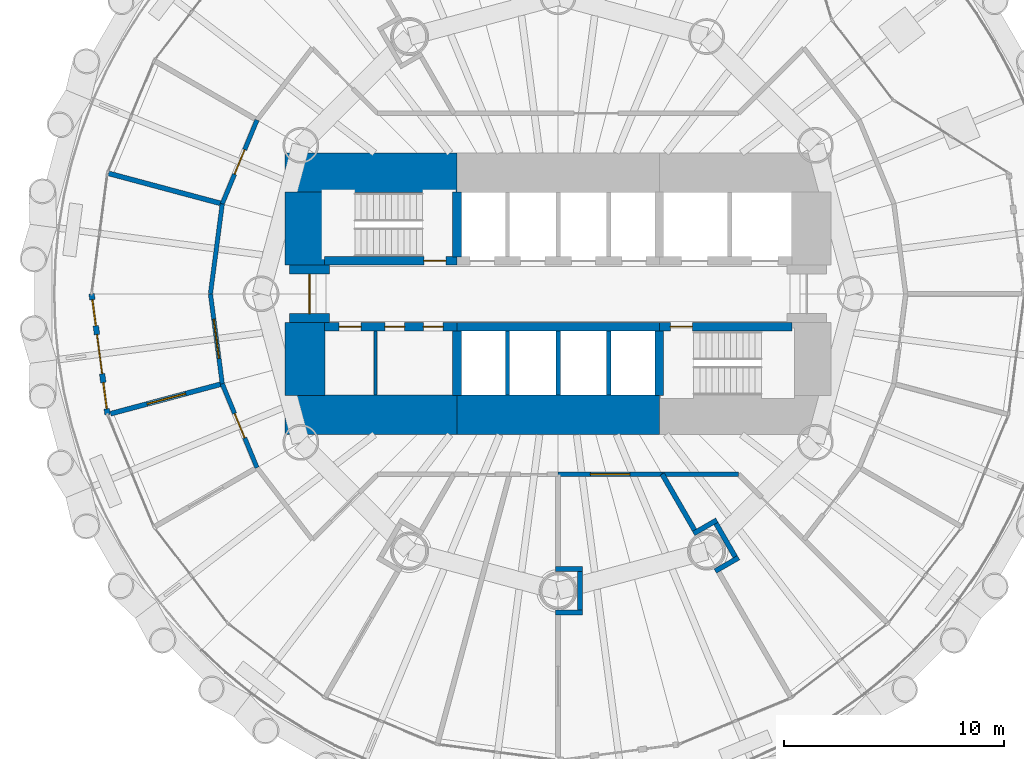
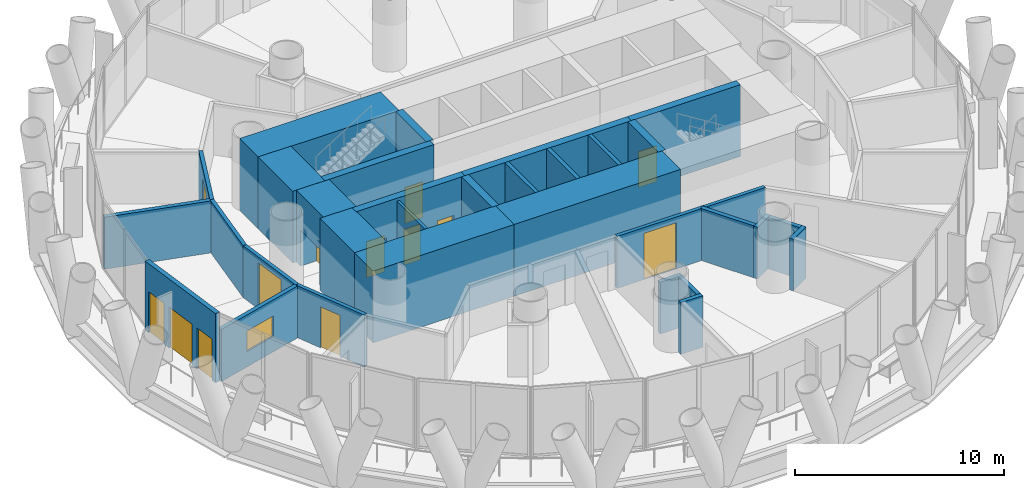
# One storey, part 9 of 15: 33 walls, 11 doors, 3 windows, 14 openings.
"""IFC4 building model written with IfcOpenShell, lengths in metres."""

from ifc_helpers import new_model, si_unit, direction, frame, frame_2d, origin, place, context, subcontext, project, spatial, rectangle, extrude, material, layer, layer_set, type_object, element, fill, save


model = new_model("IFC4")

# Units and contexts
model_context = context("Model", 3, precision=1e-05, world=origin(), true_north=direction((0.0, 1.0)))
body_context = subcontext(model_context, "Body", "Model", "MODEL_VIEW")
ifc_project = project(units=[si_unit("LENGTHUNIT", "METRE"), si_unit("AREAUNIT", "SQUARE_METRE"), si_unit("VOLUMEUNIT", "CUBIC_METRE"), si_unit("PLANEANGLEUNIT", "RADIAN"), si_unit("MASSUNIT", "GRAM", prefix="KILO")], contexts=[model_context])

# Site, building, storey
site_placement = place(None, origin())
site = spatial("IfcSite", under=ifc_project, at=site_placement, CompositionType="ELEMENT")
building_placement = place(site_placement, origin())
building = spatial("IfcBuilding", under=site, at=building_placement, Name="Qaws Media Tower", CompositionType="ELEMENT")
storey_placement = place(building_placement, frame((0.0, 0.0, 34.39990234375)))
storey = spatial("IfcBuildingStorey", under=building, at=storey_placement, Name="L06", CompositionType="ELEMENT", Elevation=34.39990234375)

# Wall
ifc_material_1 = material(Name="Twin metal stud frames, two layers gypsum board each side, insulated, Rw 55", Category="gypsum")
ifc_layer_1 = layer(ifc_material_1, 0.22509765625)
ifc_layer_set_1 = layer_set([ifc_layer_1], Name="Acoustic twin-stud partition 225 Rw 55")
wall_type_1 = type_object("IfcWallType", Name="Acoustic twin-stud partition 225 Rw 55", PredefinedType="PARTITIONING", material=ifc_layer_set_1)
wall_1_placement = place(storey_placement, frame((44.73828125, 54.08935546875, 0.0), z_axis=(0.0, 0.0, 1.0), x_axis=(-0.965927313183, 0.258813495874, 0.0)))
element("IfcWall", 1, at=wall_1_placement, inside=storey, type_object=wall_type_1, Name="W024 IW6 partition L06", PredefinedType="PARTITIONING", context=body_context, shape_type="SweptSolid", body=[
    extrude(rectangle(XDim=5.35986328125, YDim=0.22509765625, at=frame_2d((2.679931640625, 0.0))), origin(), (0.0, 0.0, 1.0), 3.0400390625),
])

# Wall, opening, window
wall_2_placement = place(storey_placement, frame((44.73828125, 45.91064453125, 0.0), z_axis=(0.0, 0.0, 1.0), x_axis=(-0.965926089638, -0.258818062269, 0.0)))
wall_2 = element("IfcWall", 2, at=wall_2_placement, inside=storey, type_object=wall_type_1, Name="W023 IW6 partition L06", PredefinedType="PARTITIONING", context=body_context, shape_type="SweptSolid", body=[
    extrude(rectangle(XDim=5.259765625, YDim=0.22509765625, at=frame_2d((2.6298828125, 0.0))), origin(), (0.0, 0.0, 1.0), 3.0400390625),
])
opening_1_placement = place(wall_2_placement, frame((1.72998046875, 0.0, 0.89990234375)))
opening_1 = element("IfcOpeningElement", 3, at=opening_1_placement, cuts=wall_2, Name="Opening W8", PredefinedType="OPENING", context=body_context, shape_type="SweptSolid", body=[
    extrude(rectangle(XDim=1.800048828125, YDim=1.199951171875, at=frame_2d((0.89990234375, 0.60009765625))), frame((0.0, 0.12255859375, 0.0), z_axis=(0.0, -1.0, 0.0), x_axis=(1.0, 0.0, 0.0)), (0.0, 0.0, 1.0), 0.2451171875),
])
ifc_material_2 = material(Name="Laminated acoustic double glazing, Rw 50, in steel frame", Category="steel")
window_type_1 = type_object("IfcWindowType", Name="Control room observation window 1800x1200", PartitioningType="SINGLE_PANEL", PredefinedType="WINDOW", material=ifc_material_2)
window_1_placement = place(opening_1_placement, origin())
window_1 = element("IfcWindow", 4, at=window_1_placement, inside=storey, type_object=window_type_1, Name="W8 control room observation window L06", OverallHeight=1.199951171875, OverallWidth=1.800048828125, PartitioningType="SINGLE_PANEL", PredefinedType="WINDOW", context=body_context, shape_type="SweptSolid", body=[
    extrude(rectangle(XDim=1.800048828125, YDim=1.199951171875, at=frame_2d((0.89990234375, 0.60009765625))), frame((0.0, 0.030029296875, 0.0), z_axis=(0.0, -1.0, 0.0), x_axis=(1.0, 0.0, 0.0)), (0.0, 0.0, 1.0), 0.06005859375),
])
fill(opening_1, window_1)

# Walls
for number, where, z_axis, x_axis, name in (
    (5, (59.887451171875, 37.485595703125, 0.0), (0.0, 0.0, 1.0), (1.0, 0.0, 0.0), "W012 IW6 partition return L06"),
    (6, (59.887451171875, 35.514404296875, 0.0), (0.0, 0.0, 1.0), (1.0, 0.0, 0.0), "W011 IW6 partition return L06"),
):
    element("IfcWall", number, at=place(storey_placement, frame(where, z_axis=z_axis, x_axis=x_axis)), inside=storey, type_object=wall_type_1, Name=name, PredefinedType="PARTITIONING", context=body_context, shape_type="SweptSolid", body=[
        extrude(rectangle(XDim=1.220458984375, YDim=0.22509765625, at=frame_2d((0.6103515625, 0.0))), origin(), (0.0, 0.0, 1.0), 3.02001953125),
    ])
wall_3_placement = place(storey_placement, frame((60.99560546875, 37.373046875, 0.0), z_axis=(0.0, 0.0, 1.0), x_axis=(0.0, -1.0, 0.0)))
element("IfcWall", 7, at=wall_3_placement, inside=storey, type_object=wall_type_1, Name="W015 IW6 partition return L06", PredefinedType="PARTITIONING", context=body_context, shape_type="SweptSolid", body=[
    extrude(rectangle(XDim=1.74609375, YDim=0.22509765625, at=frame_2d((0.873046875, 0.0))), origin(), (0.0, 0.0, 1.0), 3.02001953125),
])
wall_4_placement = place(storey_placement, frame((66.159912109375, 39.10595703125, 0.0), z_axis=(0.0, 0.0, 1.0), x_axis=(0.866055662726, 0.499947586314, 0.0)))
element("IfcWall", 8, at=wall_4_placement, inside=storey, type_object=wall_type_1, Name="W017 IW6 partition return L06", PredefinedType="PARTITIONING", context=body_context, shape_type="SweptSolid", body=[
    extrude(rectangle(XDim=1.220458984375, YDim=0.22509765625, at=frame_2d((0.6103515625, 0.0))), origin(), (0.0, 0.0, 1.0), 3.02001953125),
])
wall_5_placement = place(storey_placement, frame((67.145263671875, 37.39892578125, 0.0), z_axis=(0.0, 0.0, 1.0), x_axis=(0.866019052629, 0.500011000363, 0.0)))
element("IfcWall", 9, at=wall_5_placement, inside=storey, type_object=wall_type_1, Name="W018 IW6 partition return L06", PredefinedType="PARTITIONING", context=body_context, shape_type="SweptSolid", body=[
    extrude(rectangle(XDim=1.220703125, YDim=0.22509765625, at=frame_2d((0.6103515625, 0.0))), origin(), (0.0, 0.0, 1.0), 3.02001953125),
])
wall_6_placement = place(storey_placement, frame((67.175537109375, 39.5625, 0.0), z_axis=(0.0, 0.0, 1.0), x_axis=(0.499988720078, -0.866031916153, 0.0)))
element("IfcWall", 10, at=wall_6_placement, inside=storey, type_object=wall_type_1, Name="W019 IW6 partition return L06", PredefinedType="PARTITIONING", context=body_context, shape_type="SweptSolid", body=[
    extrude(rectangle(XDim=1.74609375, YDim=0.22509765625, at=frame_2d((0.873046875, 0.0))), origin(), (0.0, 0.0, 1.0), 3.02001953125),
])
wall_7_placement = place(storey_placement, frame((64.72998046875, 41.807373046875, 0.0), z_axis=(0.0, 0.0, 1.0), x_axis=(0.49998584623, -0.866033575313, 0.0)))
element("IfcWall", 11, at=wall_7_placement, inside=storey, type_object=wall_type_1, Name="W016 IW6 partition L06", PredefinedType="PARTITIONING", context=body_context, shape_type="SweptSolid", body=[
    extrude(rectangle(XDim=2.94189453125, YDim=0.22509765625, at=frame_2d((1.470947265625, 0.0))), origin(), (0.0, 0.0, 1.0), 3.0400390625),
])

# Wall, openings, door, windows
ifc_material_3 = material(Name="Precast concrete, exposed finish", Category="concrete")
ifc_layer_2 = layer(ifc_material_3, 0.25)
ifc_layer_set_2 = layer_set([ifc_layer_2], Name="Balcony door wall 250")
wall_type_2 = type_object("IfcWallType", Name="Balcony door wall 250", PredefinedType="SOLIDWALL", material=ifc_layer_set_2)
wall_8_placement = place(storey_placement, frame((38.800048828125, 50.0, 0.0), z_axis=(0.0, 0.0, 1.0), x_axis=(0.130530967061, -0.991444232742, 0.0)))
wall_8 = element("IfcWall", 12, at=wall_8_placement, inside=storey, type_object=wall_type_2, Name="W113 EW1 balcony door wall L06-13", PredefinedType="SOLIDWALL", context=body_context, shape_type="SweptSolid", body=[
    extrude(rectangle(XDim=5.534423828125, YDim=0.25, at=frame_2d((2.76708984375, 0.0))), origin(), (0.0, 0.0, 1.0), 4.0400390625),
])
opening_2_placement = place(wall_8_placement, frame((1.8671875, 0.0, 0.0)))
opening_2 = element("IfcOpeningElement", 13, at=opening_2_placement, cuts=wall_8, Name="Opening D7", PredefinedType="OPENING", context=body_context, shape_type="SweptSolid", body=[
    extrude(rectangle(XDim=1.800048828125, YDim=2.39990234375, at=frame_2d((0.89990234375, 1.199951171875))), frame((0.0, 0.135009765625, 0.0), z_axis=(0.0, -1.0, 0.0), x_axis=(1.0, 0.0, 0.0)), (0.0, 0.0, 1.0), 0.27001953125),
])
opening_3_placement = place(wall_8_placement, frame((0.26708984375, 0.0, 0.0)))
opening_3 = element("IfcOpeningElement", 14, at=opening_3_placement, cuts=wall_8, Name="Opening W1", PredefinedType="OPENING", context=body_context, shape_type="SweptSolid", body=[
    extrude(rectangle(XDim=1.199951171875, YDim=2.39990234375, at=frame_2d((0.60009765625, 1.199951171875))), frame((0.0, 0.135009765625, 0.0), z_axis=(0.0, -1.0, 0.0), x_axis=(1.0, 0.0, 0.0)), (0.0, 0.0, 1.0), 0.27001953125),
])
opening_4_placement = place(wall_8_placement, frame((4.067138671875, 0.0, 0.0)))
opening_4 = element("IfcOpeningElement", 15, at=opening_4_placement, cuts=wall_8, Name="Opening W1", PredefinedType="OPENING", context=body_context, shape_type="SweptSolid", body=[
    extrude(rectangle(XDim=1.199951171875, YDim=2.39990234375, at=frame_2d((0.60009765625, 1.199951171875))), frame((0.0, 0.135009765625, 0.0), z_axis=(0.0, -1.0, 0.0), x_axis=(1.0, 0.0, 0.0)), (0.0, 0.0, 1.0), 0.27001953125),
])
ifc_material_4 = material(Name="Aluminium and clear glass", Category="aluminium")
door_type_1 = type_object("IfcDoorType", Name="Balcony door pair 1800", OperationType="DOUBLE_DOOR_SLIDING", PredefinedType="DOOR", material=ifc_material_4)
door_1_placement = place(opening_2_placement, origin())
door_1 = element("IfcDoor", 16, at=door_1_placement, inside=storey, type_object=door_type_1, Name="D7 balcony door L06-13 in wall W113", OperationType="DOUBLE_DOOR_SLIDING", OverallHeight=2.39990234375, OverallWidth=1.800048828125, PredefinedType="DOOR", context=body_context, shape_type="SweptSolid", body=[
    extrude(rectangle(XDim=1.800048828125, YDim=2.39990234375, at=frame_2d((0.89990234375, 1.199951171875))), frame((0.0, 0.02490234375, 0.0), z_axis=(0.0, -1.0, 0.0), x_axis=(1.0, 0.0, 0.0)), (0.0, 0.0, 1.0), 0.050048828125),
])
fill(opening_2, door_1)
ifc_material_5 = material(Name="Aluminium and clear glass", Category="aluminium")
window_type_2 = type_object("IfcWindowType", Name="Balcony side window 1200", PartitioningType="SINGLE_PANEL", PredefinedType="WINDOW", material=ifc_material_5)
window_2_placement = place(opening_3_placement, origin())
window_2 = element("IfcWindow", 17, at=window_2_placement, inside=storey, type_object=window_type_2, Name="W1 balcony side light L06-13L", OverallHeight=2.39990234375, OverallWidth=1.199951171875, PartitioningType="SINGLE_PANEL", PredefinedType="WINDOW", context=body_context, shape_type="SweptSolid", body=[
    extrude(rectangle(XDim=1.199951171875, YDim=2.39990234375, at=frame_2d((0.60009765625, 1.199951171875))), frame((0.0, 0.030029296875, 0.0), z_axis=(0.0, -1.0, 0.0), x_axis=(1.0, 0.0, 0.0)), (0.0, 0.0, 1.0), 0.06005859375),
])
fill(opening_3, window_2)
window_3_placement = place(opening_4_placement, origin())
window_3 = element("IfcWindow", 18, at=window_3_placement, inside=storey, type_object=window_type_2, Name="W1 balcony side light L06-13R", OverallHeight=2.39990234375, OverallWidth=1.199951171875, PartitioningType="SINGLE_PANEL", PredefinedType="WINDOW", context=body_context, shape_type="SweptSolid", body=[
    extrude(rectangle(XDim=1.199951171875, YDim=2.39990234375, at=frame_2d((0.60009765625, 1.199951171875))), frame((0.0, 0.030029296875, 0.0), z_axis=(0.0, -1.0, 0.0), x_axis=(1.0, 0.0, 0.0)), (0.0, 0.0, 1.0), 0.06005859375),
])
fill(opening_4, window_3)

# Wall, opening, door
ifc_material_6 = material(Name="Concrete C60/75", Category="concrete")
ifc_layer_3 = layer(ifc_material_6, 0.39990234375)
ifc_layer_set_3 = layer_set([ifc_layer_3], Name="Core inner wall 400")
wall_type_3 = type_object("IfcWallType", Name="Core inner wall 400", PredefinedType="SHEAR", material=ifc_layer_set_3)
wall_9_placement = place(storey_placement, frame((49.3798828125, 51.5, 0.0), z_axis=(0.0, 0.0, 1.0), x_axis=(1.0, 0.0, 0.0)))
wall_9 = element("IfcWall", 19, at=wall_9_placement, inside=storey, type_object=wall_type_3, Name="W311 SW4 core wall SPNW L06", PredefinedType="SHEAR", context=body_context, shape_type="SweptSolid", body=[
    extrude(rectangle(XDim=6.02001953125, YDim=0.39990234375, at=frame_2d((3.010009765625, 0.0))), origin(), (0.0, 0.0, 1.0), 4.2001953125),
])
opening_5_placement = place(wall_9_placement, frame((4.52001953125, 0.0, 0.0)))
opening_5 = element("IfcOpeningElement", 20, at=opening_5_placement, cuts=wall_9, Name="Opening D1", PredefinedType="OPENING", context=body_context, shape_type="SweptSolid", body=[
    extrude(rectangle(XDim=1.0, YDim=2.10009765625, at=frame_2d((0.5, 1.050048828125))), frame((0.0, 0.2099609375, 0.0), z_axis=(0.0, -1.0, 0.0), x_axis=(1.0, 0.0, 0.0)), (0.0, 0.0, 1.0), 0.419921875),
])
ifc_material_7 = material(Name="Steel, fire rated", Category="steel")
door_type_2 = type_object("IfcDoorType", Name="Stair door 1000 FD120", OperationType="SINGLE_SWING_LEFT", PredefinedType="DOOR", material=ifc_material_7)
door_2_placement = place(opening_5_placement, origin())
door_2 = element("IfcDoor", 21, at=door_2_placement, inside=storey, type_object=door_type_2, Name="D1 stair S1 door L06 in wall W311", OperationType="SINGLE_SWING_LEFT", OverallHeight=2.10009765625, OverallWidth=1.0, PredefinedType="DOOR", context=body_context, shape_type="SweptSolid", body=[
    extrude(rectangle(XDim=1.0, YDim=2.10009765625, at=frame_2d((0.5, 1.050048828125))), frame((0.0, 0.02490234375, 0.0), z_axis=(0.0, -1.0, 0.0), x_axis=(1.0, 0.0, 0.0)), (0.0, 0.0, 1.0), 0.050048828125),
])
fill(opening_5, door_2)

# Wall, openings, doors
wall_10_placement = place(storey_placement, frame((49.3798828125, 48.5, 0.0), z_axis=(0.0, 0.0, 1.0), x_axis=(1.0, 0.0, 0.0)))
wall_10 = element("IfcWall", 22, at=wall_10_placement, inside=storey, type_object=wall_type_3, Name="W310 SW4 core wall SPSW L06", PredefinedType="SHEAR", context=body_context, shape_type="SweptSolid", body=[
    extrude(rectangle(XDim=6.02001953125, YDim=0.39990234375, at=frame_2d((3.010009765625, 0.0))), origin(), (0.0, 0.0, 1.0), 4.2001953125),
])
opening_6_placement = place(wall_10_placement, frame((0.669921875, 0.0, 0.0)))
opening_6 = element("IfcOpeningElement", 23, at=opening_6_placement, cuts=wall_10, Name="Opening D4", PredefinedType="OPENING", context=body_context, shape_type="SweptSolid", body=[
    extrude(rectangle(XDim=1.0, YDim=2.10009765625, at=frame_2d((0.5, 1.050048828125))), frame((0.0, 0.2099609375, 0.0), z_axis=(0.0, -1.0, 0.0), x_axis=(1.0, 0.0, 0.0)), (0.0, 0.0, 1.0), 0.419921875),
])
opening_7_placement = place(wall_10_placement, frame((2.7451171875, 0.0, 0.0)))
opening_7 = element("IfcOpeningElement", 24, at=opening_7_placement, cuts=wall_10, Name="Opening D3", PredefinedType="OPENING", context=body_context, shape_type="SweptSolid", body=[
    extrude(rectangle(XDim=0.89990234375, YDim=2.10009765625, at=frame_2d((0.449951171875, 1.050048828125))), frame((0.0, 0.2099609375, 0.0), z_axis=(0.0, -1.0, 0.0), x_axis=(1.0, 0.0, 0.0)), (0.0, 0.0, 1.0), 0.419921875),
])
opening_8_placement = place(wall_10_placement, frame((4.4951171875, 0.0, 0.0)))
opening_8 = element("IfcOpeningElement", 25, at=opening_8_placement, cuts=wall_10, Name="Opening D3", PredefinedType="OPENING", context=body_context, shape_type="SweptSolid", body=[
    extrude(rectangle(XDim=0.89990234375, YDim=2.10009765625, at=frame_2d((0.449951171875, 1.050048828125))), frame((0.0, 0.2099609375, 0.0), z_axis=(0.0, -1.0, 0.0), x_axis=(1.0, 0.0, 0.0)), (0.0, 0.0, 1.0), 0.419921875),
])
ifc_material_8 = material(Name="Timber veneered", Category="wood")
door_type_3 = type_object("IfcDoorType", Name="Accessible WC door 1000", OperationType="SLIDING_TO_LEFT", PredefinedType="DOOR", material=ifc_material_8)
door_3_placement = place(opening_6_placement, origin())
door_3 = element("IfcDoor", 26, at=door_3_placement, inside=storey, type_object=door_type_3, Name="D4 toilet door 1 L06 in wall W310", OperationType="SLIDING_TO_LEFT", OverallHeight=2.10009765625, OverallWidth=1.0, PredefinedType="DOOR", context=body_context, shape_type="SweptSolid", body=[
    extrude(rectangle(XDim=1.0, YDim=2.10009765625, at=frame_2d((0.5, 1.050048828125))), frame((0.0, 0.02490234375, 0.0), z_axis=(0.0, -1.0, 0.0), x_axis=(1.0, 0.0, 0.0)), (0.0, 0.0, 1.0), 0.050048828125),
])
fill(opening_6, door_3)
ifc_material_9 = material(Name="Timber veneered", Category="wood")
door_type_4 = type_object("IfcDoorType", Name="Toilet door 900", OperationType="SINGLE_SWING_RIGHT", PredefinedType="DOOR", material=ifc_material_9)
door_4_placement = place(opening_7_placement, origin())
door_4 = element("IfcDoor", 27, at=door_4_placement, inside=storey, type_object=door_type_4, Name="D3 toilet door 2 L06 in wall W310", OperationType="SINGLE_SWING_RIGHT", OverallHeight=2.10009765625, OverallWidth=0.89990234375, PredefinedType="DOOR", context=body_context, shape_type="SweptSolid", body=[
    extrude(rectangle(XDim=0.89990234375, YDim=2.10009765625, at=frame_2d((0.449951171875, 1.050048828125))), frame((0.0, 0.02490234375, 0.0), z_axis=(0.0, -1.0, 0.0), x_axis=(1.0, 0.0, 0.0)), (0.0, 0.0, 1.0), 0.050048828125),
])
fill(opening_7, door_4)
door_5_placement = place(opening_8_placement, origin())
door_5 = element("IfcDoor", 28, at=door_5_placement, inside=storey, type_object=door_type_4, Name="D3 toilet door 3 L06 in wall W310", OperationType="SINGLE_SWING_RIGHT", OverallHeight=2.10009765625, OverallWidth=0.89990234375, PredefinedType="DOOR", context=body_context, shape_type="SweptSolid", body=[
    extrude(rectangle(XDim=0.89990234375, YDim=2.10009765625, at=frame_2d((0.449951171875, 1.050048828125))), frame((0.0, 0.02490234375, 0.0), z_axis=(0.0, -1.0, 0.0), x_axis=(1.0, 0.0, 0.0)), (0.0, 0.0, 1.0), 0.050048828125),
])
fill(opening_8, door_5)

# Wall
wall_11_placement = place(storey_placement, frame((55.39990234375, 48.5, 0.0), z_axis=(0.0, 0.0, 1.0), x_axis=(1.0, 0.0, 0.0)))
element("IfcWall", 29, at=wall_11_placement, inside=storey, type_object=wall_type_3, Name="W313 SW4 core wall SPS L06", PredefinedType="SHEAR", context=body_context, shape_type="SweptSolid", body=[
    extrude(rectangle(XDim=9.2001953125, YDim=0.39990234375, at=frame_2d((4.60009765625, 0.0))), origin(), (0.0, 0.0, 1.0), 4.2001953125),
])

# Wall, opening, door
wall_12_placement = place(storey_placement, frame((64.60009765625, 48.5, 0.0), z_axis=(0.0, 0.0, 1.0), x_axis=(1.0, 0.0, 0.0)))
wall_12 = element("IfcWall", 30, at=wall_12_placement, inside=storey, type_object=wall_type_3, Name="W317 SW4 core wall SPSE L06", PredefinedType="SHEAR", context=body_context, shape_type="SweptSolid", body=[
    extrude(rectangle(XDim=6.02001953125, YDim=0.39990234375, at=frame_2d((3.010009765625, 0.0))), origin(), (0.0, 0.0, 1.0), 4.2001953125),
])
opening_9_placement = place(wall_12_placement, frame((0.5, 0.0, 0.0)))
opening_9 = element("IfcOpeningElement", 31, at=opening_9_placement, cuts=wall_12, Name="Opening D1", PredefinedType="OPENING", context=body_context, shape_type="SweptSolid", body=[
    extrude(rectangle(XDim=1.0, YDim=2.10009765625, at=frame_2d((0.5, 1.050048828125))), frame((0.0, 0.2099609375, 0.0), z_axis=(0.0, -1.0, 0.0), x_axis=(1.0, 0.0, 0.0)), (0.0, 0.0, 1.0), 0.419921875),
])
door_6_placement = place(opening_9_placement, origin())
door_6 = element("IfcDoor", 32, at=door_6_placement, inside=storey, type_object=door_type_2, Name="D1 stair S2 door L06 in wall W317", OperationType="SINGLE_SWING_LEFT", OverallHeight=2.10009765625, OverallWidth=1.0, PredefinedType="DOOR", context=body_context, shape_type="SweptSolid", body=[
    extrude(rectangle(XDim=1.0, YDim=2.10009765625, at=frame_2d((0.5, 1.050048828125))), frame((0.0, 0.02490234375, 0.0), z_axis=(0.0, -1.0, 0.0), x_axis=(1.0, 0.0, 0.0)), (0.0, 0.0, 1.0), 0.050048828125),
])
fill(opening_9, door_6)

# Walls
for number, where, z_axis, x_axis, name in (
    (33, (55.39990234375, 51.679931640625, 0.0), (0.0, 0.0, 1.0), (0.0, 1.0, 0.0), "W315 SW4 core wall XNW L06"),
    (34, (55.39990234375, 48.320068359375, 0.0), (0.0, 0.0, 1.0), (0.0, -1.0, 0.0), "W312 SW4 core wall XSW L06"),
    (35, (64.60009765625, 48.320068359375, 0.0), (0.0, 0.0, 1.0), (0.0, -1.0, 0.0), "W316 SW4 core wall XSE L06"),
):
    element("IfcWall", number, at=place(storey_placement, frame(where, z_axis=z_axis, x_axis=x_axis)), inside=storey, type_object=wall_type_3, Name=name, PredefinedType="SHEAR", context=body_context, shape_type="SweptSolid", body=[
        extrude(rectangle(XDim=2.940185546875, YDim=0.39990234375, at=frame_2d((1.47021484375, 0.0))), origin(), (0.0, 0.0, 1.0), 4.2001953125),
    ])
ifc_material_10 = material(Name="Concrete C60/75", Category="concrete")
ifc_layer_4 = layer(ifc_material_10, 1.800048828125)
ifc_layer_set_4 = layer_set([ifc_layer_4], Name="Core wall 1800")
wall_type_4 = type_object("IfcWallType", Name="Core wall 1800", PredefinedType="SHEAR", material=ifc_layer_set_4)
for number, where, z_axis, x_axis, name in (
    (36, (47.60009765625, 55.5, 0.0), (0.0, 0.0, 1.0), (1.0, 0.0, 0.0), "W399 SW11 core wall NW L06"),
    (37, (47.60009765625, 44.5, 0.0), (0.0, 0.0, 1.0), (1.0, 0.0, 0.0), "W398 SW11 core wall SW L06"),
):
    element("IfcWall", number, at=place(storey_placement, frame(where, z_axis=z_axis, x_axis=x_axis)), inside=storey, type_object=wall_type_4, Name=name, PredefinedType="SHEAR", context=body_context, shape_type="SweptSolid", body=[
        extrude(rectangle(XDim=7.7998046875, YDim=1.800048828125, at=frame_2d((3.89990234375, 0.0))), origin(), (0.0, 0.0, 1.0), 4.2001953125),
    ])
wall_13_placement = place(storey_placement, frame((55.39990234375, 44.5, 0.0), z_axis=(0.0, 0.0, 1.0), x_axis=(1.0, 0.0, 0.0)))
element("IfcWall", 38, at=wall_13_placement, inside=storey, type_object=wall_type_4, Name="W403 SW11 core wall S L06", PredefinedType="SHEAR", context=body_context, shape_type="SweptSolid", body=[
    extrude(rectangle(XDim=9.2001953125, YDim=1.800048828125, at=frame_2d((4.60009765625, 0.0))), origin(), (0.0, 0.0, 1.0), 4.2001953125),
])
wall_14_placement = place(storey_placement, frame((48.5, 45.3798828125, 0.0), z_axis=(0.0, 0.0, 1.0), x_axis=(0.0, 1.0, 0.0)))
element("IfcWall", 39, at=wall_14_placement, inside=storey, type_object=wall_type_4, Name="W410 SW11 core wall WS L06", PredefinedType="SHEAR", context=body_context, shape_type="SweptSolid", body=[
    extrude(rectangle(XDim=3.320068359375, YDim=1.800048828125, at=frame_2d((1.66015625, 0.0))), origin(), (0.0, 0.0, 1.0), 4.2001953125),
])

# Wall, opening, door
wall_15_placement = place(storey_placement, frame((48.699951171875, 48.699951171875, 0.0), z_axis=(0.0, 0.0, 1.0), x_axis=(0.0, 1.0, 0.0)))
wall_15 = element("IfcWall", 40, at=wall_15_placement, inside=storey, type_object=wall_type_4, Name="W412 SW11 core wall W L06", PredefinedType="SHEAR", context=body_context, shape_type="SweptSolid", body=[
    extrude(rectangle(XDim=2.60009765625, YDim=1.800048828125, at=frame_2d((1.300048828125, 0.0))), origin(), (0.0, 0.0, 1.0), 4.2001953125),
])
opening_10_placement = place(wall_15_placement, frame((0.39990234375, 0.0, 0.0)))
opening_10 = element("IfcOpeningElement", 41, at=opening_10_placement, cuts=wall_15, Name="Opening D2", PredefinedType="OPENING", context=body_context, shape_type="SweptSolid", body=[
    extrude(rectangle(XDim=1.800048828125, YDim=2.10009765625, at=frame_2d((0.89990234375, 1.050048828125))), frame((0.0, 0.909912109375, 0.0), z_axis=(0.0, -1.0, 0.0), x_axis=(1.0, 0.0, 0.0)), (0.0, 0.0, 1.0), 1.820068359375),
])
ifc_material_11 = material(Name="Steel and glass, fire rated", Category="steel")
door_type_5 = type_object("IfcDoorType", Name="Lobby door pair 1800 FD60", OperationType="DOUBLE_DOOR_DOUBLE_SWING", PredefinedType="DOOR", material=ifc_material_11)
door_7_placement = place(opening_10_placement, origin())
door_7 = element("IfcDoor", 42, at=door_7_placement, inside=storey, type_object=door_type_5, Name="D2 core lobby door W L06 in wall W412", OperationType="DOUBLE_DOOR_DOUBLE_SWING", OverallHeight=2.10009765625, OverallWidth=1.800048828125, PredefinedType="DOOR", context=body_context, shape_type="SweptSolid", body=[
    extrude(rectangle(XDim=1.800048828125, YDim=2.10009765625, at=frame_2d((0.89990234375, 1.050048828125))), frame((0.0, 0.02490234375, 0.0), z_axis=(0.0, -1.0, 0.0), x_axis=(1.0, 0.0, 0.0)), (0.0, 0.0, 1.0), 0.050048828125),
])
fill(opening_10, door_7)

# Wall
wall_16_placement = place(storey_placement, frame((48.5, 51.300048828125, 0.0), z_axis=(0.0, 0.0, 1.0), x_axis=(0.0, 1.0, 0.0)))
element("IfcWall", 43, at=wall_16_placement, inside=storey, type_object=wall_type_4, Name="W411 SW11 core wall WN L06", PredefinedType="SHEAR", context=body_context, shape_type="SweptSolid", body=[
    extrude(rectangle(XDim=3.320068359375, YDim=1.800048828125, at=frame_2d((1.66015625, 0.0))), origin(), (0.0, 0.0, 1.0), 4.2001953125),
])

# Wall, opening, door
ifc_material_12 = material(Name="Gypsum board on galvanised metal studs, acoustic double stud, deflection head", Category="gypsum")
ifc_layer_5 = layer(ifc_material_12, 0.199951171875)
ifc_layer_set_5 = layer_set([ifc_layer_5], Name="Room partition 200")
wall_type_5 = type_object("IfcWallType", Name="Room partition 200", PredefinedType="PARTITIONING", material=ifc_layer_set_5)
wall_17_placement = place(storey_placement, frame((46.31689453125, 42.10009765625, 0.0), z_axis=(0.0, 0.0, 1.0), x_axis=(-0.382731667114, 0.923859551549, 0.0)))
wall_17 = element("IfcWall", 44, at=wall_17_placement, inside=storey, type_object=wall_type_5, Name="W946 IW3 partition L06", PredefinedType="PARTITIONING", context=body_context, shape_type="SweptSolid", body=[
    extrude(rectangle(XDim=4.12451171875, YDim=0.199951171875, at=frame_2d((2.062255859375, 0.0))), origin(), (0.0, 0.0, 1.0), 3.0400390625),
])
opening_11_placement = place(wall_17_placement, frame((1.46240234375, 0.0, 0.0)))
opening_11 = element("IfcOpeningElement", 45, at=opening_11_placement, cuts=wall_17, Name="Opening D14", PredefinedType="OPENING", context=body_context, shape_type="SweptSolid", body=[
    extrude(rectangle(XDim=1.199951171875, YDim=2.39990234375, at=frame_2d((0.60009765625, 1.199951171875))), frame((0.0, 0.10986328125, 0.0), z_axis=(0.0, -1.0, 0.0), x_axis=(1.0, 0.0, 0.0)), (0.0, 0.0, 1.0), 0.219970703125),
])
ifc_material_13 = material(Name="Steel acoustic door set, Rw 45", Category="steel")
door_type_6 = type_object("IfcDoorType", Name="Acoustic door 1200x2400 Rw 45", OperationType="SINGLE_SWING_LEFT", PredefinedType="DOOR", material=ifc_material_13)
door_8_placement = place(opening_11_placement, origin())
door_8 = element("IfcDoor", 46, at=door_8_placement, inside=storey, type_object=door_type_6, Name="D14 Control room door L06 in wall W946", OperationType="SINGLE_SWING_LEFT", OverallHeight=2.39990234375, OverallWidth=1.199951171875, PredefinedType="DOOR", context=body_context, shape_type="SweptSolid", body=[
    extrude(rectangle(XDim=1.199951171875, YDim=2.39990234375, at=frame_2d((0.60009765625, 1.199951171875))), frame((0.0, 0.02490234375, 0.0), z_axis=(0.0, -1.0, 0.0), x_axis=(1.0, 0.0, 0.0)), (0.0, 0.0, 1.0), 0.050048828125),
])
fill(opening_11, door_8)

wall_18_placement = place(storey_placement, frame((44.73828125, 45.91064453125, 0.0), z_axis=(0.0, 0.0, 1.0), x_axis=(-0.130515758099, 0.991446234996, 0.0)))
wall_18 = element("IfcWall", 47, at=wall_18_placement, inside=storey, type_object=wall_type_5, Name="W943 IW3 partition L06", PredefinedType="PARTITIONING", context=body_context, shape_type="SweptSolid", body=[
    extrude(rectangle(XDim=4.124755859375, YDim=0.199951171875, at=frame_2d((2.0625, 0.0))), origin(), (0.0, 0.0, 1.0), 3.0400390625),
])
opening_12_placement = place(wall_18_placement, frame((1.162353515625, 0.0, 0.0)))
opening_12 = element("IfcOpeningElement", 48, at=opening_12_placement, cuts=wall_18, Name="Opening D15", PredefinedType="OPENING", context=body_context, shape_type="SweptSolid", body=[
    extrude(rectangle(XDim=1.800048828125, YDim=2.699951171875, at=frame_2d((0.89990234375, 1.35009765625))), frame((0.0, 0.10986328125, 0.0), z_axis=(0.0, -1.0, 0.0), x_axis=(1.0, 0.0, 0.0)), (0.0, 0.0, 1.0), 0.219970703125),
])
ifc_material_14 = material(Name="Steel acoustic door set, Rw 50", Category="steel")
door_type_7 = type_object("IfcDoorType", Name="Studio acoustic door pair 1800x2700 Rw 50", OperationType="DOUBLE_DOOR_DOUBLE_SWING", PredefinedType="DOOR", material=ifc_material_14)
door_9_placement = place(opening_12_placement, origin())
door_9 = element("IfcDoor", 49, at=door_9_placement, inside=storey, type_object=door_type_7, Name="D15 Radio studio door L06 in wall W943", OperationType="DOUBLE_DOOR_DOUBLE_SWING", OverallHeight=2.699951171875, OverallWidth=1.800048828125, PredefinedType="DOOR", context=body_context, shape_type="SweptSolid", body=[
    extrude(rectangle(XDim=1.800048828125, YDim=2.699951171875, at=frame_2d((0.89990234375, 1.35009765625))), frame((0.0, 0.02490234375, 0.0), z_axis=(0.0, -1.0, 0.0), x_axis=(1.0, 0.0, 0.0)), (0.0, 0.0, 1.0), 0.050048828125),
])
fill(opening_12, door_9)

# Wall
wall_19_placement = place(storey_placement, frame((44.199951171875, 50.0, 0.0), z_axis=(0.0, 0.0, 1.0), x_axis=(0.130515758099, 0.991446234996, 0.0)))
element("IfcWall", 50, at=wall_19_placement, inside=storey, type_object=wall_type_5, Name="W941 IW3 partition L06", PredefinedType="PARTITIONING", context=body_context, shape_type="SweptSolid", body=[
    extrude(rectangle(XDim=4.124755859375, YDim=0.199951171875, at=frame_2d((2.0625, 0.0))), origin(), (0.0, 0.0, 1.0), 3.0400390625),
])

# Wall, opening, door
wall_20_placement = place(storey_placement, frame((44.73828125, 54.08935546875, 0.0), z_axis=(0.0, 0.0, 1.0), x_axis=(0.382731667114, 0.923859551549, 0.0)))
wall_20 = element("IfcWall", 51, at=wall_20_placement, inside=storey, type_object=wall_type_5, Name="W944 IW3 partition L06", PredefinedType="PARTITIONING", context=body_context, shape_type="SweptSolid", body=[
    extrude(rectangle(XDim=4.12451171875, YDim=0.199951171875, at=frame_2d((2.062255859375, 0.0))), origin(), (0.0, 0.0, 1.0), 3.0400390625),
])
opening_13_placement = place(wall_20_placement, frame((1.46240234375, 0.0, 0.0)))
opening_13 = element("IfcOpeningElement", 52, at=opening_13_placement, cuts=wall_20, Name="Opening D14", PredefinedType="OPENING", context=body_context, shape_type="SweptSolid", body=[
    extrude(rectangle(XDim=1.199951171875, YDim=2.39990234375, at=frame_2d((0.60009765625, 1.199951171875))), frame((0.0, 0.10986328125, 0.0), z_axis=(0.0, -1.0, 0.0), x_axis=(1.0, 0.0, 0.0)), (0.0, 0.0, 1.0), 0.219970703125),
])
door_10_placement = place(opening_13_placement, origin())
door_10 = element("IfcDoor", 53, at=door_10_placement, inside=storey, type_object=door_type_6, Name="D14 Podcast booth door L06 in wall W944", OperationType="SINGLE_SWING_LEFT", OverallHeight=2.39990234375, OverallWidth=1.199951171875, PredefinedType="DOOR", context=body_context, shape_type="SweptSolid", body=[
    extrude(rectangle(XDim=1.199951171875, YDim=2.39990234375, at=frame_2d((0.60009765625, 1.199951171875))), frame((0.0, 0.02490234375, 0.0), z_axis=(0.0, -1.0, 0.0), x_axis=(1.0, 0.0, 0.0)), (0.0, 0.0, 1.0), 0.050048828125),
])
fill(opening_13, door_10)

# Wall
wall_21_placement = place(storey_placement, frame((68.199951171875, 41.800048828125, 0.0), z_axis=(0.0, 0.0, 1.0), x_axis=(-1.0, 0.0, 0.0)))
element("IfcWall", 54, at=wall_21_placement, inside=storey, type_object=wall_type_5, Name="W974 IW3 partition L06", PredefinedType="PARTITIONING", context=body_context, shape_type="SweptSolid", body=[
    extrude(rectangle(XDim=3.465576171875, YDim=0.199951171875, at=frame_2d((1.73291015625, 0.0))), origin(), (0.0, 0.0, 1.0), 3.0400390625),
])

# Wall, opening, door
wall_22_placement = place(storey_placement, frame((64.734375, 41.800048828125, 0.0), z_axis=(0.0, 0.0, 1.0), x_axis=(-1.0, 0.0, 0.0)))
wall_22 = element("IfcWall", 55, at=wall_22_placement, inside=storey, type_object=wall_type_5, Name="W973 IW3 partition L06", PredefinedType="PARTITIONING", context=body_context, shape_type="SweptSolid", body=[
    extrude(rectangle(XDim=4.734375, YDim=0.199951171875, at=frame_2d((2.3671875, 0.0))), origin(), (0.0, 0.0, 1.0), 3.0400390625),
])
opening_14_placement = place(wall_22_placement, frame((1.467041015625, 0.0, 0.0)))
opening_14 = element("IfcOpeningElement", 56, at=opening_14_placement, cuts=wall_22, Name="Opening D15", PredefinedType="OPENING", context=body_context, shape_type="SweptSolid", body=[
    extrude(rectangle(XDim=1.800048828125, YDim=2.699951171875, at=frame_2d((0.89990234375, 1.35009765625))), frame((0.0, 0.10986328125, 0.0), z_axis=(0.0, -1.0, 0.0), x_axis=(1.0, 0.0, 0.0)), (0.0, 0.0, 1.0), 0.219970703125),
])
door_11_placement = place(opening_14_placement, origin())
door_11 = element("IfcDoor", 57, at=door_11_placement, inside=storey, type_object=door_type_7, Name="D15 Radio studio door L06 in wall W973", OperationType="DOUBLE_DOOR_DOUBLE_SWING", OverallHeight=2.699951171875, OverallWidth=1.800048828125, PredefinedType="DOOR", context=body_context, shape_type="SweptSolid", body=[
    extrude(rectangle(XDim=1.800048828125, YDim=2.699951171875, at=frame_2d((0.89990234375, 1.35009765625))), frame((0.0, 0.02490234375, 0.0), z_axis=(0.0, -1.0, 0.0), x_axis=(1.0, 0.0, 0.0)), (0.0, 0.0, 1.0), 0.050048828125),
])
fill(opening_14, door_11)

# Walls
ifc_material_15 = material(Name="Fire-rated gypsum board shaft wall on galvanised metal studs, deflection head", Category="gypsum")
ifc_layer_6 = layer(ifc_material_15, 0.199951171875)
ifc_layer_set_6 = layer_set([ifc_layer_6], Name="Shaft wall 200")
wall_type_6 = type_object("IfcWallType", Name="Shaft wall 200", PredefinedType="PARTITIONING", material=ifc_layer_set_6)
for number, where, z_axis, x_axis, name in (
    (58, (57.699951171875, 45.39990234375, 0.0), (0.0, 0.0, 1.0), (0.0, 1.0, 0.0), "W1835 IW1 shaft wall S1 L06"),
    (59, (60.0, 45.39990234375, 0.0), (0.0, 0.0, 1.0), (0.0, 1.0, 0.0), "W1837 IW1 shaft wall S2 L06"),
    (60, (62.300048828125, 45.39990234375, 0.0), (0.0, 0.0, 1.0), (0.0, 1.0, 0.0), "W1839 IW1 shaft wall S3 L06"),
):
    element("IfcWall", number, at=place(storey_placement, frame(where, z_axis=z_axis, x_axis=x_axis)), inside=storey, type_object=wall_type_6, Name=name, PredefinedType="PARTITIONING", context=body_context, shape_type="SweptSolid", body=[
        extrude(rectangle(XDim=2.900146484375, YDim=0.199951171875, at=frame_2d((1.4501953125, 0.0))), origin(), (0.0, 0.0, 1.0), 4.2001953125),
    ])
ifc_material_16 = material(Name="Gypsum board on galvanised metal studs, deflection head", Category="gypsum")
ifc_layer_7 = layer(ifc_material_16, 0.14990234375)
ifc_layer_set_7 = layer_set([ifc_layer_7], Name="WC partition 150")
wall_type_7 = type_object("IfcWallType", Name="WC partition 150", PredefinedType="PARTITIONING", material=ifc_layer_set_7)
wall_23_placement = place(storey_placement, frame((51.699951171875, 45.39990234375, 0.0), z_axis=(0.0, 0.0, 1.0), x_axis=(0.0, 1.0, 0.0)))
element("IfcWall", 61, at=wall_23_placement, inside=storey, type_object=wall_type_7, Name="W1904 IW2 toilet partition 1 L06", PredefinedType="PARTITIONING", context=body_context, shape_type="SweptSolid", body=[
    extrude(rectangle(XDim=2.900146484375, YDim=0.14990234375, at=frame_2d((1.4501953125, 0.0))), origin(), (0.0, 0.0, 1.0), 4.0400390625),
])

save(model, "model.ifc")
